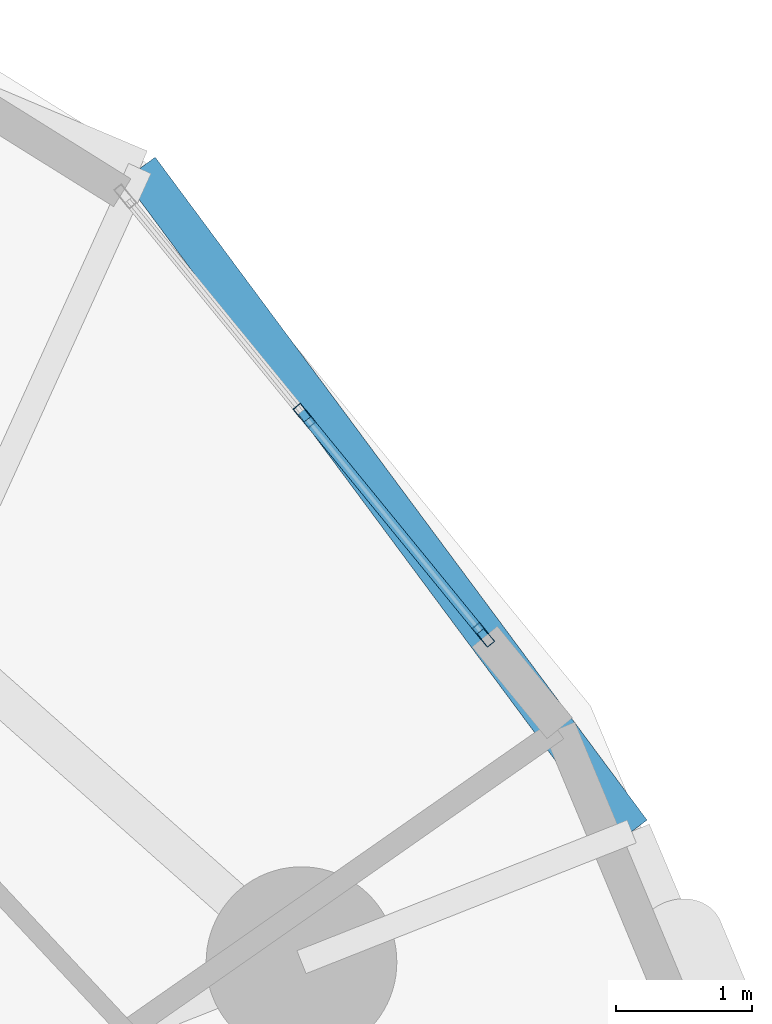
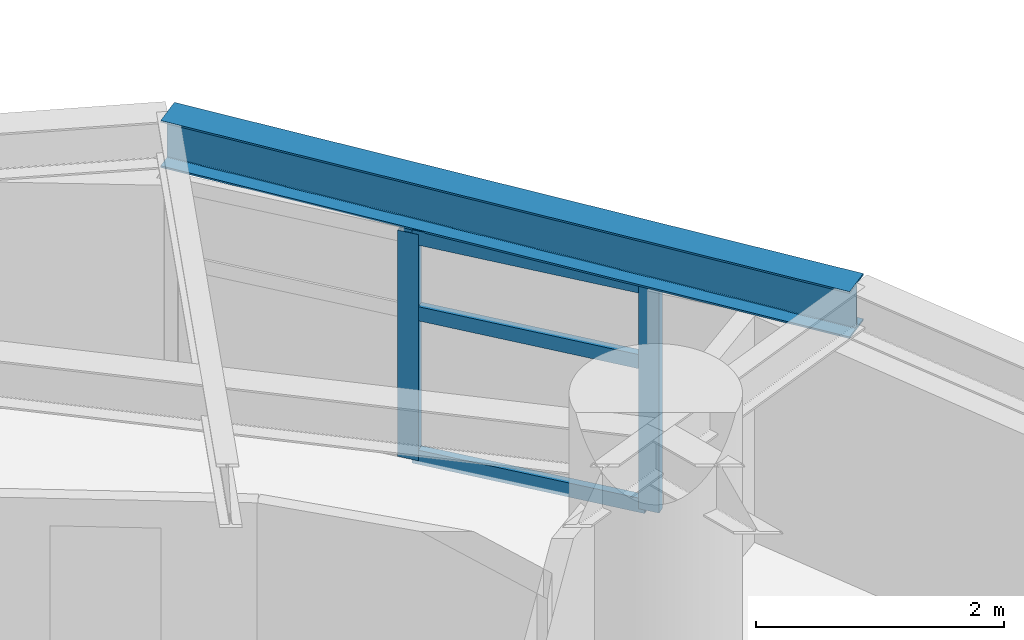
# One storey, part 3 of 19: 5 members, 1 beam, 1 element without a shape of its own.
"""IFC4 building model written with IfcOpenShell, lengths in metres."""

from ifc_helpers import new_model, si_unit, direction, frame, origin, origin_2d, place, context, subcontext, project, spatial, hollow_rectangle, i_section, extrude, material, layer, layer_set, material_profile, profile_set, type_object, element, aggregate, save


model = new_model("IFC4")

# Units and contexts
model_context = context("Model", 3, precision=1e-05, world=origin(), true_north=direction((0.0, 1.0)))
body_context = subcontext(model_context, "Body", "Model", "MODEL_VIEW")
ifc_project = project(units=[si_unit("LENGTHUNIT", "METRE"), si_unit("AREAUNIT", "SQUARE_METRE"), si_unit("VOLUMEUNIT", "CUBIC_METRE"), si_unit("PLANEANGLEUNIT", "RADIAN"), si_unit("MASSUNIT", "GRAM", prefix="KILO")], contexts=[model_context])

# Site, building, storey
site_placement = place(None, origin())
site = spatial("IfcSite", under=ifc_project, at=site_placement, CompositionType="ELEMENT")
building_placement = place(site_placement, origin())
building = spatial("IfcBuilding", under=site, at=building_placement, Name="Cununo Teusaquillo Station Towers", CompositionType="ELEMENT")
storey_placement = place(building_placement, frame((0.0, 0.0, 144.0400390625)))
storey = spatial("IfcBuildingStorey", under=building, at=storey_placement, Name="L45", CompositionType="ELEMENT", Elevation=144.0400390625)

# Beam
ifc_material_1 = material(Name="Steel ASTM A572 Grade 50", Category="steel")
ifc_material_profile_1 = material_profile(ifc_material_1, i_section(OverallWidth=0.280029296875, OverallDepth=0.462890625, WebThickness=0.0107421875, FlangeThickness=0.017333984375, FilletRadius=0.013916015625, at=origin_2d()), Name="W18X76")
ifc_profile_set_1 = profile_set([ifc_material_profile_1], Name="Steel ASTM A572 Grade 50")
beam_type = type_object("IfcBeamType", Name="BM-RING-Z2", PredefinedType="SPANDREL", material=ifc_profile_set_1)
beam_placement = place(storey_placement, frame((28.771728515625, 34.187744140625, 2.488525390625), z_axis=(-0.595872908853, 0.803078748626, 0.0), x_axis=(-0.803078748626, -0.595872908853, 0.0)))
element("IfcBeam", 1, at=beam_placement, inside=storey, type_object=beam_type, Name="L45 Tower A Spandrel Ring Beam 03", PredefinedType="SPANDREL", context=body_context, shape_type="SweptSolid", body=[
    extrude(i_section(OverallWidth=0.280029296875, OverallDepth=0.462890625, WebThickness=0.0107421875, FlangeThickness=0.017333984375, FilletRadius=0.013916015625, at=origin_2d()), origin(), (0.0, 0.0, 1.0), 6.059814453125),
])

# Curtain wall, members
ifc_material_2 = material(Name="Ceramic-fritted dark low-E double glazing", Category="glass")
ifc_layer = layer(ifc_material_2, 0.179931640625)
ifc_layer_set = layer_set([ifc_layer], Name="Ceramic-fritted dark low-E double glazing")
curtain_wall_type = type_object("IfcCurtainWallType", Name="CW-SYS-04", PredefinedType="USERDEFINED", material=ifc_layer_set)
curtain_wall_placement = place(storey_placement, origin())
curtain_wall = element("IfcCurtainWall", 2, at=curtain_wall_placement, inside=storey, type_object=curtain_wall_type, Name="L45 Tower A Facade Curtain Wall C02", ObjectType="FRITTED GLAZING", PredefinedType="USERDEFINED")
ifc_material_3 = material(Name="Anodised dark bronze aluminium EN AW-6063-T6", Category="aluminium")
ifc_material_profile_2 = material_profile(ifc_material_3, hollow_rectangle(XDim=0.070068359375, YDim=0.179931640625, WallThickness=0.00390625, at=origin_2d()), Name="CW-MULL-70x180")
ifc_profile_set_2 = profile_set([ifc_material_profile_2], Name="Anodised dark bronze aluminium EN AW-6063-T6")
member_type_1 = type_object("IfcMemberType", Name="CWM-180", PredefinedType="MULLION", material=ifc_profile_set_2)
member_1_placement = place(storey_placement, frame((26.368408203125, 37.23974609375, 0.0), z_axis=(0.0, 0.0, 1.0), x_axis=(0.774468364277, 0.632612640352, 0.0)))
member_1 = element("IfcMember", 3, at=member_1_placement, type_object=member_type_1, Name="CW-04 mullion 2", PredefinedType="MULLION", context=body_context, shape_type="SweptSolid", body=[
    extrude(hollow_rectangle(XDim=0.070068359375, YDim=0.179931640625, WallThickness=0.00390625, at=origin_2d()), origin(), (0.0, 0.0, 1.0), 2.22900390625),
])
member_2_placement = place(storey_placement, frame((27.68310546875, 35.63037109375, 0.0), z_axis=(0.0, 0.0, 1.0), x_axis=(0.774468364277, 0.632612640352, 0.0)))
member_2 = element("IfcMember", 4, at=member_2_placement, type_object=member_type_1, Name="CW-04 mullion 3", PredefinedType="MULLION", context=body_context, shape_type="SweptSolid", body=[
    extrude(hollow_rectangle(XDim=0.070068359375, YDim=0.179931640625, WallThickness=0.00390625, at=origin_2d()), origin(), (0.0, 0.0, 1.0), 2.22900390625),
])
ifc_material_4 = material(Name="Anodised dark bronze aluminium EN AW-6063-T6", Category="aluminium")
ifc_material_profile_3 = material_profile(ifc_material_4, hollow_rectangle(XDim=0.070068359375, YDim=0.139892578125, WallThickness=0.00390625, at=origin_2d()), Name="CW-TRAN-70x140")
ifc_profile_set_3 = profile_set([ifc_material_profile_3], Name="Anodised dark bronze aluminium EN AW-6063-T6")
member_type_2 = type_object("IfcMemberType", Name="CWT-140", PredefinedType="USERDEFINED", material=ifc_profile_set_3)
member_3_placement = place(storey_placement, frame((26.390625, 37.212646484375, 0.034912109375), z_axis=(0.632595350189, -0.774482487161, 0.0), x_axis=(0.774482487161, 0.632595350189, 0.0)))
member_3 = element("IfcMember", 5, at=member_3_placement, type_object=member_type_2, Name="CW-04 transom 2.1", ObjectType="TRANSOM", PredefinedType="USERDEFINED", context=body_context, shape_type="SweptSolid", body=[
    extrude(hollow_rectangle(XDim=0.070068359375, YDim=0.139892578125, WallThickness=0.00390625, at=origin_2d()), origin(), (0.0, 0.0, 1.0), 2.008056640625),
])
member_4_placement = place(storey_placement, frame((26.390625, 37.212646484375, 1.448974609375), z_axis=(0.632595350189, -0.774482487161, 0.0), x_axis=(0.774482487161, 0.632595350189, 0.0)))
member_4 = element("IfcMember", 6, at=member_4_placement, type_object=member_type_2, Name="CW-04 transom 2.2", ObjectType="TRANSOM", PredefinedType="USERDEFINED", context=body_context, shape_type="SweptSolid", body=[
    extrude(hollow_rectangle(XDim=0.070068359375, YDim=0.139892578125, WallThickness=0.00390625, at=origin_2d()), origin(), (0.0, 0.0, 1.0), 2.008056640625),
])
member_5_placement = place(storey_placement, frame((26.390625, 37.212646484375, 2.19384765625), z_axis=(0.632595350189, -0.774482487161, 0.0), x_axis=(0.774482487161, 0.632595350189, 0.0)))
member_5 = element("IfcMember", 7, at=member_5_placement, type_object=member_type_2, Name="CW-04 transom 2.3", ObjectType="TRANSOM", PredefinedType="USERDEFINED", context=body_context, shape_type="SweptSolid", body=[
    extrude(hollow_rectangle(XDim=0.070068359375, YDim=0.139892578125, WallThickness=0.00390625, at=origin_2d()), origin(), (0.0, 0.0, 1.0), 2.008056640625),
])
aggregate(curtain_wall, [member_1, member_2, member_3, member_4, member_5])

save(model, "model.ifc")
